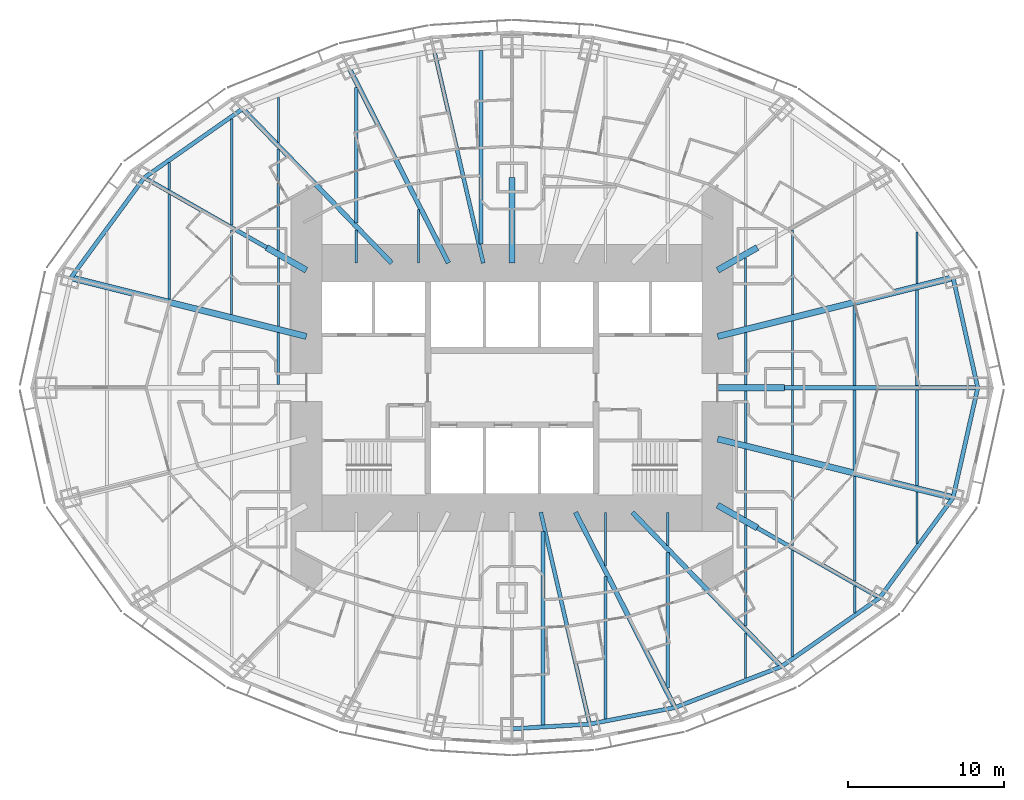
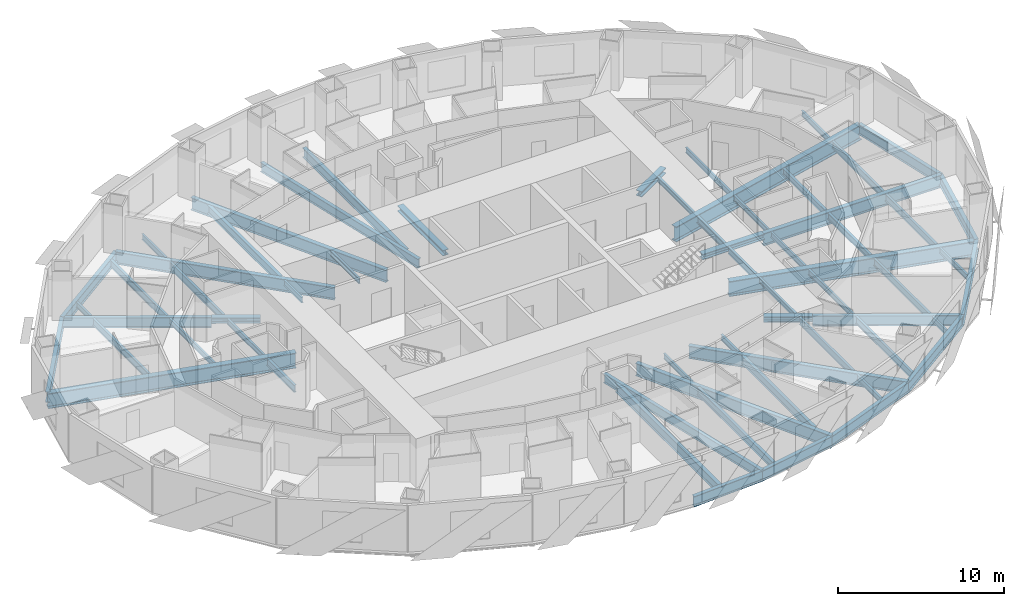
# One storey, part 2 of 17: 62 beams.
"""IFC4 building model written with IfcOpenShell, lengths in metres."""

from ifc_helpers import new_model, si_unit, direction, frame, origin, origin_2d, place, context, subcontext, project, spatial, i_section, extrude, material, material_profile, profile_set, type_object, element, save


model = new_model("IFC4")

# Units and contexts
model_context = context("Model", 3, precision=1e-05, world=origin(), true_north=direction((0.0, 1.0)))
body_context = subcontext(model_context, "Body", "Model", "MODEL_VIEW")
ifc_project = project(units=[si_unit("LENGTHUNIT", "METRE"), si_unit("AREAUNIT", "SQUARE_METRE"), si_unit("VOLUMEUNIT", "CUBIC_METRE"), si_unit("PLANEANGLEUNIT", "RADIAN"), si_unit("MASSUNIT", "GRAM", prefix="KILO")], contexts=[model_context])

# Site, building, storey
site_placement = place(None, origin())
site = spatial("IfcSite", under=ifc_project, at=site_placement, CompositionType="ELEMENT")
building_placement = place(site_placement, origin())
building = spatial("IfcBuilding", under=site, at=building_placement, Name="Lantaw Convention Tower", CompositionType="ELEMENT")
storey_placement = place(building_placement, frame((0.0, 0.0, 40.60009765625)))
storey = spatial("IfcBuildingStorey", under=building, at=storey_placement, Name="L07", CompositionType="ELEMENT", Elevation=40.60009765625)

# Beams
ifc_material = material(Name="Steel ASTM A992", Category="steel")
ifc_material_profile_1 = material_profile(ifc_material, i_section(OverallWidth=0.2666015625, OverallDepth=0.76953125, WebThickness=0.015625, FlangeThickness=0.025390625, FilletRadius=0.0126953125, at=origin_2d()), Name="W30X132")
ifc_profile_set_1 = profile_set([ifc_material_profile_1], Name="Steel ASTM A992")
beam_type_1 = type_object("IfcBeamType", Name="Beam E W30X132", PredefinedType="SPANDREL", material=ifc_profile_set_1)
beam_1_placement = place(storey_placement, frame((29.89990234375, 0.0, -0.534912109375), z_axis=(-0.218652184873, 0.975802860239, 0.0), x_axis=(-0.975802860239, -0.218652184873, 0.0)))
element("IfcBeam", 1, at=beam_1_placement, inside=storey, type_object=beam_type_1, Name="Edge beam 1", PredefinedType="SPANDREL", context=body_context, shape_type="SweptSolid", body=[
    extrude(i_section(OverallWidth=0.2666015625, OverallDepth=0.76953125, WebThickness=0.015625, FlangeThickness=0.025390625, FilletRadius=0.0126953125, at=origin_2d()), origin(), (0.0, 0.0, 1.0), 7.2353515625),
])
beam_2_placement = place(storey_placement, frame((-17.290771484375, 17.9052734375, -0.534912109375), z_axis=(-0.81942686407, -0.57318375277, 0.0), x_axis=(0.57318375277, -0.81942686407, 0.0)))
element("IfcBeam", 2, at=beam_2_placement, inside=storey, type_object=beam_type_1, Name="Edge beam 10", PredefinedType="SPANDREL", context=body_context, shape_type="SweptSolid", body=[
    extrude(i_section(OverallWidth=0.2666015625, OverallDepth=0.76953125, WebThickness=0.015625, FlangeThickness=0.025390625, FilletRadius=0.0126953125, at=origin_2d()), origin(), (0.0, 0.0, 1.0), 7.70556640625),
])
beam_3_placement = place(storey_placement, frame((-23.60498046875, 13.488525390625, -0.534912109375), z_axis=(-0.591270709086, -0.806473154281, 0.0), x_axis=(0.806473154281, -0.591270709086, 0.0)))
element("IfcBeam", 3, at=beam_3_placement, inside=storey, type_object=beam_type_1, Name="Edge beam 11", PredefinedType="SPANDREL", context=body_context, shape_type="SweptSolid", body=[
    extrude(i_section(OverallWidth=0.2666015625, OverallDepth=0.76953125, WebThickness=0.015625, FlangeThickness=0.025390625, FilletRadius=0.0126953125, at=origin_2d()), origin(), (0.0, 0.0, 1.0), 7.970703125),
])
beam_4_placement = place(storey_placement, frame((0.0, -21.89990234375, -0.534912109375), z_axis=(0.998173858406, 0.060406526096, 0.0), x_axis=(-0.060406526096, 0.998173858406, 0.0)))
element("IfcBeam", 4, at=beam_4_placement, inside=storey, type_object=beam_type_1, Name="Edge beam 19", PredefinedType="SPANDREL", context=body_context, shape_type="SweptSolid", body=[
    extrude(i_section(OverallWidth=0.2666015625, OverallDepth=0.76953125, WebThickness=0.015625, FlangeThickness=0.025390625, FilletRadius=0.0126953125, at=origin_2d()), origin(), (0.0, 0.0, 1.0), 4.995361328125),
])
beam_5_placement = place(storey_placement, frame((4.986328125, -21.59814453125, -0.534912109375), z_axis=(0.981636565323, 0.190760723474, 0.0), x_axis=(-0.190760723474, 0.981636565323, 0.0)))
element("IfcBeam", 5, at=beam_5_placement, inside=storey, type_object=beam_type_1, Name="Edge beam 20", PredefinedType="SPANDREL", context=body_context, shape_type="SweptSolid", body=[
    extrude(i_section(OverallWidth=0.2666015625, OverallDepth=0.76953125, WebThickness=0.015625, FlangeThickness=0.025390625, FilletRadius=0.0126953125, at=origin_2d()), origin(), (0.0, 0.0, 1.0), 5.578857421875),
])
beam_6_placement = place(storey_placement, frame((10.462646484375, -20.533935546875, -0.534912109375), z_axis=(0.933232900641, 0.359271976588, 0.0), x_axis=(-0.359271976588, 0.933232900641, 0.0)))
element("IfcBeam", 6, at=beam_6_placement, inside=storey, type_object=beam_type_1, Name="Edge beam 21", PredefinedType="SPANDREL", context=body_context, shape_type="SweptSolid", body=[
    extrude(i_section(OverallWidth=0.2666015625, OverallDepth=0.76953125, WebThickness=0.015625, FlangeThickness=0.025390625, FilletRadius=0.0126953125, at=origin_2d()), origin(), (0.0, 0.0, 1.0), 7.316650390625),
])
beam_7_placement = place(storey_placement, frame((17.290771484375, -17.9052734375, -0.534912109375), z_axis=(0.81942686407, 0.57318375277, 0.0), x_axis=(-0.57318375277, 0.81942686407, 0.0)))
element("IfcBeam", 7, at=beam_7_placement, inside=storey, type_object=beam_type_1, Name="Edge beam 22", PredefinedType="SPANDREL", context=body_context, shape_type="SweptSolid", body=[
    extrude(i_section(OverallWidth=0.2666015625, OverallDepth=0.76953125, WebThickness=0.015625, FlangeThickness=0.025390625, FilletRadius=0.0126953125, at=origin_2d()), origin(), (0.0, 0.0, 1.0), 7.70556640625),
])
beam_8_placement = place(storey_placement, frame((23.60498046875, -13.488525390625, -0.534912109375), z_axis=(0.591270709086, 0.806473154281, 0.0), x_axis=(-0.806473154281, 0.591270709086, 0.0)))
element("IfcBeam", 8, at=beam_8_placement, inside=storey, type_object=beam_type_1, Name="Edge beam 23", PredefinedType="SPANDREL", context=body_context, shape_type="SweptSolid", body=[
    extrude(i_section(OverallWidth=0.2666015625, OverallDepth=0.76953125, WebThickness=0.015625, FlangeThickness=0.025390625, FilletRadius=0.0126953125, at=origin_2d()), origin(), (0.0, 0.0, 1.0), 7.970703125),
])
beam_9_placement = place(storey_placement, frame((28.31787109375, -7.060302734375, -0.534912109375), z_axis=(0.218652184873, 0.975802860239, 0.0), x_axis=(-0.975802860239, 0.218652184873, 0.0)))
element("IfcBeam", 9, at=beam_9_placement, inside=storey, type_object=beam_type_1, Name="Edge beam 24", PredefinedType="SPANDREL", context=body_context, shape_type="SweptSolid", body=[
    extrude(i_section(OverallWidth=0.2666015625, OverallDepth=0.76953125, WebThickness=0.015625, FlangeThickness=0.025390625, FilletRadius=0.0126953125, at=origin_2d()), origin(), (0.0, 0.0, 1.0), 7.2353515625),
])
ifc_material_profile_2 = material_profile(ifc_material, i_section(OverallWidth=0.25390625, OverallDepth=0.683349609375, WebThickness=0.012451171875, FlangeThickness=0.01904296875, FilletRadius=0.01513671875, at=origin_2d()), Name="W27X94")
ifc_profile_set_2 = profile_set([ifc_material_profile_2], Name="Steel ASTM A992")
beam_type_2 = type_object("IfcBeamType", Name="Beam G W27X94", PredefinedType="BEAM", material=ifc_profile_set_2)
for number, where, z_axis, x_axis, name in (
    (10, (-1.846923828125, 8.0, -0.49169921875), (-0.224952773175, 0.97436966796, 0.0), (-0.97436966796, -0.224952773175, 0.0), "Floor girder on ray 8"),
    (11, (1.846923828125, -8.0, -0.49169921875), (0.224952773175, -0.97436966796, 0.0), (0.97436966796, 0.224952773175, 0.0), "Floor girder on ray 20"),
):
    element("IfcBeam", number, at=place(storey_placement, frame(where, z_axis=z_axis, x_axis=x_axis)), inside=storey, type_object=beam_type_2, Name=name, PredefinedType="BEAM", context=body_context, shape_type="SweptSolid", body=[
        extrude(i_section(OverallWidth=0.25390625, OverallDepth=0.683349609375, WebThickness=0.012451171875, FlangeThickness=0.01904296875, FilletRadius=0.01513671875, at=origin_2d()), origin(), (0.0, 0.0, 1.0), 13.955810546875),
    ])
ifc_material_profile_3 = material_profile(ifc_material, i_section(OverallWidth=0.2666015625, OverallDepth=0.7568359375, WebThickness=0.013916015625, FlangeThickness=0.019287109375, FilletRadius=0.0126953125, at=origin_2d()), Name="W30X108")
ifc_profile_set_3 = profile_set([ifc_material_profile_3], Name="Steel ASTM A992")
beam_type_3 = type_object("IfcBeamType", Name="Beam G W30X108", PredefinedType="BEAM", material=ifc_profile_set_3)
for number, where, z_axis, x_axis, name in (
    (12, (-15.75, 9.0, -0.528564453125), (-0.868244802791, 0.496136032179, 0.0), (-0.496136032179, -0.868244802791, 0.0), "Floor girder on ray 11"),
    (13, (15.75, -9.0, -0.528564453125), (0.868244802791, -0.496136032179, 0.0), (0.496136032179, 0.868244802791, 0.0), "Floor girder on ray 23"),
):
    element("IfcBeam", number, at=place(storey_placement, frame(where, z_axis=z_axis, x_axis=x_axis)), inside=storey, type_object=beam_type_3, Name=name, PredefinedType="BEAM", context=body_context, shape_type="SweptSolid", body=[
        extrude(i_section(OverallWidth=0.2666015625, OverallDepth=0.7568359375, WebThickness=0.013916015625, FlangeThickness=0.019287109375, FilletRadius=0.0126953125, at=origin_2d()), origin(), (0.0, 0.0, 1.0), 9.046875),
    ])
ifc_material_profile_4 = material_profile(ifc_material, i_section(OverallWidth=0.307373046875, OverallDepth=0.922119140625, WebThickness=0.018310546875, FlangeThickness=0.030029296875, FilletRadius=0.0126953125, at=origin_2d()), Name="W36X182")
ifc_profile_set_4 = profile_set([ifc_material_profile_4], Name="Steel ASTM A992")
beam_type_4 = type_object("IfcBeamType", Name="Beam G W36X182", PredefinedType="BEAM", material=ifc_profile_set_4)
beam_10_placement = place(storey_placement, frame((17.5, 0.0, -0.611083984375), z_axis=(1.0, 0.0, 0.0), x_axis=(0.0, 1.0, 0.0)))
element("IfcBeam", 14, at=beam_10_placement, inside=storey, type_object=beam_type_4, Name="Floor girder on ray 1", PredefinedType="BEAM", context=body_context, shape_type="SweptSolid", body=[
    extrude(i_section(OverallWidth=0.307373046875, OverallDepth=0.922119140625, WebThickness=0.018310546875, FlangeThickness=0.030029296875, FilletRadius=0.0126953125, at=origin_2d()), origin(), (0.0, 0.0, 1.0), 12.39990234375),
])
beam_11_placement = place(storey_placement, frame((-4.076171875, 8.0, -0.611083984375), z_axis=(-0.453997016122, 0.891003203896, 0.0), x_axis=(-0.891003203896, -0.453997016122, 0.0)))
element("IfcBeam", 15, at=beam_11_placement, inside=storey, type_object=beam_type_4, Name="Floor girder on ray 9", PredefinedType="BEAM", context=body_context, shape_type="SweptSolid", body=[
    extrude(i_section(OverallWidth=0.307373046875, OverallDepth=0.922119140625, WebThickness=0.018310546875, FlangeThickness=0.030029296875, FilletRadius=0.0126953125, at=origin_2d()), origin(), (0.0, 0.0, 1.0), 14.067138671875),
])
beam_12_placement = place(storey_placement, frame((-7.7255859375, 8.0, -0.611083984375), z_axis=(-0.694649884291, 0.719347995239, 0.0), x_axis=(-0.719347995239, -0.694649884291, 0.0)))
element("IfcBeam", 16, at=beam_12_placement, inside=storey, type_object=beam_type_4, Name="Floor girder on ray 10", PredefinedType="BEAM", context=body_context, shape_type="SweptSolid", body=[
    extrude(i_section(OverallWidth=0.307373046875, OverallDepth=0.922119140625, WebThickness=0.018310546875, FlangeThickness=0.030029296875, FilletRadius=0.0126953125, at=origin_2d()), origin(), (0.0, 0.0, 1.0), 13.769775390625),
])
beam_13_placement = place(storey_placement, frame((4.076171875, -8.0, -0.611083984375), z_axis=(0.453997016122, -0.891003203896, 0.0), x_axis=(0.891003203896, 0.453997016122, 0.0)))
element("IfcBeam", 17, at=beam_13_placement, inside=storey, type_object=beam_type_4, Name="Floor girder on ray 21", PredefinedType="BEAM", context=body_context, shape_type="SweptSolid", body=[
    extrude(i_section(OverallWidth=0.307373046875, OverallDepth=0.922119140625, WebThickness=0.018310546875, FlangeThickness=0.030029296875, FilletRadius=0.0126953125, at=origin_2d()), origin(), (0.0, 0.0, 1.0), 14.067138671875),
])
beam_14_placement = place(storey_placement, frame((7.7255859375, -8.0, -0.611083984375), z_axis=(0.694649884291, -0.719347995239, 0.0), x_axis=(0.719347995239, 0.694649884291, 0.0)))
element("IfcBeam", 18, at=beam_14_placement, inside=storey, type_object=beam_type_4, Name="Floor girder on ray 22", PredefinedType="BEAM", context=body_context, shape_type="SweptSolid", body=[
    extrude(i_section(OverallWidth=0.307373046875, OverallDepth=0.922119140625, WebThickness=0.018310546875, FlangeThickness=0.030029296875, FilletRadius=0.0126953125, at=origin_2d()), origin(), (0.0, 0.0, 1.0), 13.769775390625),
])
ifc_material_profile_5 = material_profile(ifc_material, i_section(OverallWidth=0.40380859375, OverallDepth=1.11767578125, WebThickness=0.026123046875, FlangeThickness=0.044921875, FilletRadius=0.02001953125, at=origin_2d()), Name="W44X335")
ifc_profile_set_5 = profile_set([ifc_material_profile_5], Name="Steel ASTM A992")
beam_type_5 = type_object("IfcBeamType", Name="Beam G W44X335", PredefinedType="BEAM", material=ifc_profile_set_5)
for number, where, z_axis, x_axis, name in (
    (19, (13.199951171875, 3.291015625, -0.708984375), (0.970296233567, 0.241919860957, 0.0), (-0.241919860957, 0.970296233567, 0.0), "Floor girder on ray 2"),
    (20, (-13.199951171875, 3.291015625, -0.708984375), (-0.970296233567, 0.241919860957, 0.0), (-0.241919860957, -0.970296233567, 0.0), "Floor girder on ray 12"),
    (21, (13.199951171875, -3.291015625, -0.708984375), (0.970296233567, -0.241919860957, 0.0), (0.241919860957, 0.970296233567, 0.0), "Floor girder on ray 24"),
):
    element("IfcBeam", number, at=place(storey_placement, frame(where, z_axis=z_axis, x_axis=x_axis)), inside=storey, type_object=beam_type_5, Name=name, PredefinedType="BEAM", context=body_context, shape_type="SweptSolid", body=[
        extrude(i_section(OverallWidth=0.40380859375, OverallDepth=1.11767578125, WebThickness=0.026123046875, FlangeThickness=0.044921875, FilletRadius=0.02001953125, at=origin_2d()), origin(), (0.0, 0.0, 1.0), 15.580810546875),
    ])
ifc_material_profile_6 = material_profile(ifc_material, i_section(OverallWidth=0.40380859375, OverallDepth=0.406494140625, WebThickness=0.027099609375, FlangeThickness=0.043701171875, FilletRadius=0.01513671875, at=origin_2d()), Name="W14X233")
ifc_profile_set_6 = profile_set([ifc_material_profile_6], Name="Steel ASTM A992")
beam_type_6 = type_object("IfcBeamType", Name="Beam GM W14X233", PredefinedType="BEAM", material=ifc_profile_set_6)
beam_15_placement = place(storey_placement, frame((13.199951171875, 0.0, -0.353271484375), z_axis=(1.0, 0.0, 0.0), x_axis=(0.0, 1.0, 0.0)))
element("IfcBeam", 22, at=beam_15_placement, inside=storey, type_object=beam_type_6, Name="Core link beam on ray 1", PredefinedType="BEAM", context=body_context, shape_type="SweptSolid", body=[
    extrude(i_section(OverallWidth=0.40380859375, OverallDepth=0.406494140625, WebThickness=0.027099609375, FlangeThickness=0.043701171875, FilletRadius=0.01513671875, at=origin_2d()), origin(), (0.0, 0.0, 1.0), 4.300048828125),
])
beam_16_placement = place(storey_placement, frame((13.199951171875, 7.54296875, -0.353271484375), z_axis=(0.868263603466, 0.496103129295, 0.0), x_axis=(-0.496103129295, 0.868263603466, 0.0)))
element("IfcBeam", 23, at=beam_16_placement, inside=storey, type_object=beam_type_6, Name="Core link beam on ray 3", PredefinedType="BEAM", context=body_context, shape_type="SweptSolid", body=[
    extrude(i_section(OverallWidth=0.40380859375, OverallDepth=0.406494140625, WebThickness=0.027099609375, FlangeThickness=0.043701171875, FilletRadius=0.01513671875, at=origin_2d()), origin(), (0.0, 0.0, 1.0), 2.93701171875),
])
beam_17_placement = place(storey_placement, frame((0.0, 8.0, -0.353271484375), z_axis=(0.0, 1.0, 0.0), x_axis=(-1.0, 0.0, 0.0)))
element("IfcBeam", 24, at=beam_17_placement, inside=storey, type_object=beam_type_6, Name="Core link beam on ray 7", PredefinedType="BEAM", context=body_context, shape_type="SweptSolid", body=[
    extrude(i_section(OverallWidth=0.40380859375, OverallDepth=0.406494140625, WebThickness=0.027099609375, FlangeThickness=0.043701171875, FilletRadius=0.01513671875, at=origin_2d()), origin(), (0.0, 0.0, 1.0), 5.5),
])
for number, where, z_axis, x_axis, name in (
    (25, (-13.199951171875, 7.54296875, -0.353271484375), (-0.868263603466, 0.496103129295, 0.0), (-0.496103129295, -0.868263603466, 0.0), "Core link beam on ray 11"),
    (26, (13.199951171875, -7.54296875, -0.353271484375), (0.868263603466, -0.496103129295, 0.0), (0.496103129295, 0.868263603466, 0.0), "Core link beam on ray 23"),
):
    element("IfcBeam", number, at=place(storey_placement, frame(where, z_axis=z_axis, x_axis=x_axis)), inside=storey, type_object=beam_type_6, Name=name, PredefinedType="BEAM", context=body_context, shape_type="SweptSolid", body=[
        extrude(i_section(OverallWidth=0.40380859375, OverallDepth=0.406494140625, WebThickness=0.027099609375, FlangeThickness=0.043701171875, FilletRadius=0.01513671875, at=origin_2d()), origin(), (0.0, 0.0, 1.0), 2.93701171875),
    ])
ifc_material_profile_7 = material_profile(ifc_material, i_section(OverallWidth=0.140380859375, OverallDepth=0.40380859375, WebThickness=0.007080078125, FlangeThickness=0.01123046875, FilletRadius=0.01025390625, at=origin_2d()), Name="W16X31")
ifc_profile_set_7 = profile_set([ifc_material_profile_7], Name="Steel ASTM A992")
beam_type_7 = type_object("IfcBeamType", Name="Beam J W16X31", PredefinedType="JOIST", material=ifc_profile_set_7)
beam_18_placement = place(storey_placement, frame((-22.0, 12.72509765625, -0.35205078125), z_axis=(0.0, 1.0, 0.0), x_axis=(-1.0, 0.0, 0.0)))
element("IfcBeam", 27, at=beam_18_placement, inside=storey, type_object=beam_type_7, Name="Floor joist", PredefinedType="JOIST", context=body_context, shape_type="SweptSolid", body=[
    extrude(i_section(OverallWidth=0.140380859375, OverallDepth=0.40380859375, WebThickness=0.007080078125, FlangeThickness=0.01123046875, FilletRadius=0.01025390625, at=origin_2d()), origin(), (0.0, 0.0, 1.0), 1.723388671875),
])
beam_19_placement = place(storey_placement, frame((-18.0, 4.696044921875, -0.35205078125), z_axis=(0.0, 1.0, 0.0), x_axis=(-1.0, 0.0, 0.0)))
element("IfcBeam", 28, at=beam_19_placement, inside=storey, type_object=beam_type_7, Name="Floor joist", PredefinedType="JOIST", context=body_context, shape_type="SweptSolid", body=[
    extrude(i_section(OverallWidth=0.140380859375, OverallDepth=0.40380859375, WebThickness=0.007080078125, FlangeThickness=0.01123046875, FilletRadius=0.01025390625, at=origin_2d()), origin(), (0.0, 0.0, 1.0), 5.43603515625),
])
beam_20_placement = place(storey_placement, frame((-15.0, 3.947998046875, -0.35205078125), z_axis=(0.0, 1.0, 0.0), x_axis=(-1.0, 0.0, 0.0)))
element("IfcBeam", 29, at=beam_20_placement, inside=storey, type_object=beam_type_7, Name="Floor joist", PredefinedType="JOIST", context=body_context, shape_type="SweptSolid", body=[
    extrude(i_section(OverallWidth=0.140380859375, OverallDepth=0.40380859375, WebThickness=0.007080078125, FlangeThickness=0.01123046875, FilletRadius=0.01025390625, at=origin_2d()), origin(), (0.0, 0.0, 1.0), 4.390869140625),
])
beam_21_placement = place(storey_placement, frame((-15.0, 15.754150390625, -0.35205078125), z_axis=(0.0, 1.0, 0.0), x_axis=(-1.0, 0.0, 0.0)))
element("IfcBeam", 30, at=beam_21_placement, inside=storey, type_object=beam_type_7, Name="Floor joist", PredefinedType="JOIST", context=body_context, shape_type="SweptSolid", body=[
    extrude(i_section(OverallWidth=0.140380859375, OverallDepth=0.40380859375, WebThickness=0.007080078125, FlangeThickness=0.01123046875, FilletRadius=0.01025390625, at=origin_2d()), origin(), (0.0, 0.0, 1.0), 2.89013671875),
])
beam_22_placement = place(storey_placement, frame((-10.0, 8.0, -0.35205078125), z_axis=(0.0, 1.0, 0.0), x_axis=(-1.0, 0.0, 0.0)))
element("IfcBeam", 31, at=beam_22_placement, inside=storey, type_object=beam_type_7, Name="Floor joist", PredefinedType="JOIST", context=body_context, shape_type="SweptSolid", body=[
    extrude(i_section(OverallWidth=0.140380859375, OverallDepth=0.40380859375, WebThickness=0.007080078125, FlangeThickness=0.01123046875, FilletRadius=0.01025390625, at=origin_2d()), origin(), (0.0, 0.0, 1.0), 2.134033203125),
])
for number, where, z_axis, x_axis, name in (
    (32, (-6.0, 8.0, -0.35205078125), (0.0, 1.0, 0.0), (-1.0, 0.0, 0.0), "Floor joist"),
    (33, (6.0, -11.437255859375, -0.35205078125), (0.0, 1.0, 0.0), (-1.0, 0.0, 0.0), "Floor joist"),
):
    element("IfcBeam", number, at=place(storey_placement, frame(where, z_axis=z_axis, x_axis=x_axis)), inside=storey, type_object=beam_type_7, Name=name, PredefinedType="JOIST", context=body_context, shape_type="SweptSolid", body=[
        extrude(i_section(OverallWidth=0.140380859375, OverallDepth=0.40380859375, WebThickness=0.007080078125, FlangeThickness=0.01123046875, FilletRadius=0.01025390625, at=origin_2d()), origin(), (0.0, 0.0, 1.0), 3.437255859375),
    ])
beam_23_placement = place(storey_placement, frame((10.0, -10.134033203125, -0.35205078125), z_axis=(0.0, 1.0, 0.0), x_axis=(-1.0, 0.0, 0.0)))
element("IfcBeam", 34, at=beam_23_placement, inside=storey, type_object=beam_type_7, Name="Floor joist", PredefinedType="JOIST", context=body_context, shape_type="SweptSolid", body=[
    extrude(i_section(OverallWidth=0.140380859375, OverallDepth=0.40380859375, WebThickness=0.007080078125, FlangeThickness=0.01123046875, FilletRadius=0.01025390625, at=origin_2d()), origin(), (0.0, 0.0, 1.0), 2.134033203125),
])
beam_24_placement = place(storey_placement, frame((15.0, -18.644287109375, -0.35205078125), z_axis=(0.0, 1.0, 0.0), x_axis=(-1.0, 0.0, 0.0)))
element("IfcBeam", 35, at=beam_24_placement, inside=storey, type_object=beam_type_7, Name="Floor joist", PredefinedType="JOIST", context=body_context, shape_type="SweptSolid", body=[
    extrude(i_section(OverallWidth=0.140380859375, OverallDepth=0.40380859375, WebThickness=0.007080078125, FlangeThickness=0.01123046875, FilletRadius=0.01025390625, at=origin_2d()), origin(), (0.0, 0.0, 1.0), 2.89013671875),
])
for number, where, z_axis, x_axis, name in (
    (36, (15.0, -8.3388671875, -0.35205078125), (0.0, 1.0, 0.0), (-1.0, 0.0, 0.0), "Floor joist"),
    (37, (15.0, 3.947998046875, -0.35205078125), (0.0, 1.0, 0.0), (-1.0, 0.0, 0.0), "Floor joist"),
):
    element("IfcBeam", number, at=place(storey_placement, frame(where, z_axis=z_axis, x_axis=x_axis)), inside=storey, type_object=beam_type_7, Name=name, PredefinedType="JOIST", context=body_context, shape_type="SweptSolid", body=[
        extrude(i_section(OverallWidth=0.140380859375, OverallDepth=0.40380859375, WebThickness=0.007080078125, FlangeThickness=0.01123046875, FilletRadius=0.01025390625, at=origin_2d()), origin(), (0.0, 0.0, 1.0), 4.390869140625),
    ])
beam_25_placement = place(storey_placement, frame((18.0, -10.132080078125, -0.35205078125), z_axis=(0.0, 1.0, 0.0), x_axis=(-1.0, 0.0, 0.0)))
element("IfcBeam", 38, at=beam_25_placement, inside=storey, type_object=beam_type_7, Name="Floor joist", PredefinedType="JOIST", context=body_context, shape_type="SweptSolid", body=[
    extrude(i_section(OverallWidth=0.140380859375, OverallDepth=0.40380859375, WebThickness=0.007080078125, FlangeThickness=0.01123046875, FilletRadius=0.01025390625, at=origin_2d()), origin(), (0.0, 0.0, 1.0), 5.43603515625),
])
for number, where, z_axis, x_axis, name in (
    (39, (18.0, -4.27978515625, -0.35205078125), (0.0, 1.0, 0.0), (-1.0, 0.0, 0.0), "Floor joist"),
    (40, (18.0, 0.153564453125, -0.35205078125), (0.0, 1.0, 0.0), (-1.0, 0.0, 0.0), "Floor joist"),
):
    element("IfcBeam", number, at=place(storey_placement, frame(where, z_axis=z_axis, x_axis=x_axis)), inside=storey, type_object=beam_type_7, Name=name, PredefinedType="JOIST", context=body_context, shape_type="SweptSolid", body=[
        extrude(i_section(OverallWidth=0.140380859375, OverallDepth=0.40380859375, WebThickness=0.007080078125, FlangeThickness=0.01123046875, FilletRadius=0.01025390625, at=origin_2d()), origin(), (0.0, 0.0, 1.0), 4.126220703125),
    ])
beam_26_placement = place(storey_placement, frame((18.0, 4.696044921875, -0.35205078125), z_axis=(0.0, 1.0, 0.0), x_axis=(-1.0, 0.0, 0.0)))
element("IfcBeam", 41, at=beam_26_placement, inside=storey, type_object=beam_type_7, Name="Floor joist", PredefinedType="JOIST", context=body_context, shape_type="SweptSolid", body=[
    extrude(i_section(OverallWidth=0.140380859375, OverallDepth=0.40380859375, WebThickness=0.007080078125, FlangeThickness=0.01123046875, FilletRadius=0.01025390625, at=origin_2d()), origin(), (0.0, 0.0, 1.0), 5.43603515625),
])
beam_27_placement = place(storey_placement, frame((22.0, -14.448486328125, -0.35205078125), z_axis=(0.0, 1.0, 0.0), x_axis=(-1.0, 0.0, 0.0)))
element("IfcBeam", 42, at=beam_27_placement, inside=storey, type_object=beam_type_7, Name="Floor joist", PredefinedType="JOIST", context=body_context, shape_type="SweptSolid", body=[
    extrude(i_section(OverallWidth=0.140380859375, OverallDepth=0.40380859375, WebThickness=0.007080078125, FlangeThickness=0.01123046875, FilletRadius=0.01025390625, at=origin_2d()), origin(), (0.0, 0.0, 1.0), 1.723388671875),
])
for number, where, z_axis, x_axis, name in (
    (43, (26.0, -9.996337890625, -0.35205078125), (0.0, 1.0, 0.0), (-1.0, 0.0, 0.0), "Floor joist"),
    (44, (26.0, 6.690673828125, -0.35205078125), (0.0, 1.0, 0.0), (-1.0, 0.0, 0.0), "Floor joist"),
):
    element("IfcBeam", number, at=place(storey_placement, frame(where, z_axis=z_axis, x_axis=x_axis)), inside=storey, type_object=beam_type_7, Name=name, PredefinedType="JOIST", context=body_context, shape_type="SweptSolid", body=[
        extrude(i_section(OverallWidth=0.140380859375, OverallDepth=0.40380859375, WebThickness=0.007080078125, FlangeThickness=0.01123046875, FilletRadius=0.01025390625, at=origin_2d()), origin(), (0.0, 0.0, 1.0), 3.3056640625),
    ])
ifc_material_profile_8 = material_profile(ifc_material, i_section(OverallWidth=0.1904296875, OverallDepth=0.457275390625, WebThickness=0.009033203125, FlangeThickness=0.014404296875, FilletRadius=0.01025390625, at=origin_2d()), Name="W18X50")
ifc_profile_set_8 = profile_set([ifc_material_profile_8], Name="Steel ASTM A992")
beam_type_8 = type_object("IfcBeamType", Name="Beam J W18X50", PredefinedType="JOIST", material=ifc_profile_set_8)
for number, where, z_axis, x_axis, name in (
    (45, (22.0, -5.277099609375, -0.378662109375), (0.0, 1.0, 0.0), (-1.0, 0.0, 0.0), "Floor joist"),
    (46, (22.0, 0.153564453125, -0.378662109375), (0.0, 1.0, 0.0), (-1.0, 0.0, 0.0), "Floor joist"),
):
    element("IfcBeam", number, at=place(storey_placement, frame(where, z_axis=z_axis, x_axis=x_axis)), inside=storey, type_object=beam_type_8, Name=name, PredefinedType="JOIST", context=body_context, shape_type="SweptSolid", body=[
        extrude(i_section(OverallWidth=0.1904296875, OverallDepth=0.457275390625, WebThickness=0.009033203125, FlangeThickness=0.014404296875, FilletRadius=0.01025390625, at=origin_2d()), origin(), (0.0, 0.0, 1.0), 5.12353515625),
    ])
ifc_material_profile_9 = material_profile(ifc_material, i_section(OverallWidth=0.1650390625, OverallDepth=0.52587890625, WebThickness=0.0087890625, FlangeThickness=0.011474609375, FilletRadius=0.0126953125, at=origin_2d()), Name="W21X44")
ifc_profile_set_9 = profile_set([ifc_material_profile_9], Name="Steel ASTM A992")
beam_type_9 = type_object("IfcBeamType", Name="Beam J W21X44", PredefinedType="JOIST", material=ifc_profile_set_9)
beam_28_placement = place(storey_placement, frame((-22.0, 5.693359375, -0.4130859375), z_axis=(0.0, 1.0, 0.0), x_axis=(-1.0, 0.0, 0.0)))
element("IfcBeam", 47, at=beam_28_placement, inside=storey, type_object=beam_type_9, Name="Floor joist", PredefinedType="JOIST", context=body_context, shape_type="SweptSolid", body=[
    extrude(i_section(OverallWidth=0.1650390625, OverallDepth=0.52587890625, WebThickness=0.0087890625, FlangeThickness=0.011474609375, FilletRadius=0.0126953125, at=origin_2d()), origin(), (0.0, 0.0, 1.0), 6.724609375),
])
beam_29_placement = place(storey_placement, frame((-18.0, 10.439208984375, -0.4130859375), z_axis=(0.0, 1.0, 0.0), x_axis=(-1.0, 0.0, 0.0)))
element("IfcBeam", 48, at=beam_29_placement, inside=storey, type_object=beam_type_9, Name="Floor joist", PredefinedType="JOIST", context=body_context, shape_type="SweptSolid", body=[
    extrude(i_section(OverallWidth=0.1650390625, OverallDepth=0.52587890625, WebThickness=0.0087890625, FlangeThickness=0.011474609375, FilletRadius=0.0126953125, at=origin_2d()), origin(), (0.0, 0.0, 1.0), 6.80712890625),
])
for number, where, z_axis, x_axis, name in (
    (49, (-15.0, 8.803955078125, -0.4130859375), (0.0, 1.0, 0.0), (-1.0, 0.0, 0.0), "Floor joist"),
    (50, (15.0, -15.311767578125, -0.4130859375), (0.0, 1.0, 0.0), (-1.0, 0.0, 0.0), "Floor joist"),
):
    element("IfcBeam", number, at=place(storey_placement, frame(where, z_axis=z_axis, x_axis=x_axis)), inside=storey, type_object=beam_type_9, Name=name, PredefinedType="JOIST", context=body_context, shape_type="SweptSolid", body=[
        extrude(i_section(OverallWidth=0.1650390625, OverallDepth=0.52587890625, WebThickness=0.0087890625, FlangeThickness=0.011474609375, FilletRadius=0.0126953125, at=origin_2d()), origin(), (0.0, 0.0, 1.0), 6.5078125),
    ])
beam_30_placement = place(storey_placement, frame((18.0, -17.246337890625, -0.4130859375), z_axis=(0.0, 1.0, 0.0), x_axis=(-1.0, 0.0, 0.0)))
element("IfcBeam", 51, at=beam_30_placement, inside=storey, type_object=beam_type_9, Name="Floor joist", PredefinedType="JOIST", context=body_context, shape_type="SweptSolid", body=[
    extrude(i_section(OverallWidth=0.1650390625, OverallDepth=0.52587890625, WebThickness=0.0087890625, FlangeThickness=0.011474609375, FilletRadius=0.0126953125, at=origin_2d()), origin(), (0.0, 0.0, 1.0), 6.80712890625),
])
beam_31_placement = place(storey_placement, frame((22.0, -12.41796875, -0.4130859375), z_axis=(0.0, 1.0, 0.0), x_axis=(-1.0, 0.0, 0.0)))
element("IfcBeam", 52, at=beam_31_placement, inside=storey, type_object=beam_type_9, Name="Floor joist", PredefinedType="JOIST", context=body_context, shape_type="SweptSolid", body=[
    extrude(i_section(OverallWidth=0.1650390625, OverallDepth=0.52587890625, WebThickness=0.0087890625, FlangeThickness=0.011474609375, FilletRadius=0.0126953125, at=origin_2d()), origin(), (0.0, 0.0, 1.0), 6.724609375),
])
ifc_material_profile_10 = material_profile(ifc_material, i_section(OverallWidth=0.165771484375, OverallDepth=0.5283203125, WebThickness=0.009765625, FlangeThickness=0.013671875, FilletRadius=0.012939453125, at=origin_2d()), Name="W21X50")
ifc_profile_set_10 = profile_set([ifc_material_profile_10], Name="Steel ASTM A992")
beam_type_10 = type_object("IfcBeamType", Name="Beam J W21X50", PredefinedType="JOIST", material=ifc_profile_set_10)
for number, where, z_axis, x_axis, name in (
    (53, (-15.0, 0.201904296875, -0.414306640625), (0.0, 1.0, 0.0), (-1.0, 0.0, 0.0), "Floor joist"),
    (54, (15.0, -3.53173828125, -0.414306640625), (0.0, 1.0, 0.0), (-1.0, 0.0, 0.0), "Floor joist"),
    (55, (15.0, 0.201904296875, -0.414306640625), (0.0, 1.0, 0.0), (-1.0, 0.0, 0.0), "Floor joist"),
):
    element("IfcBeam", number, at=place(storey_placement, frame(where, z_axis=z_axis, x_axis=x_axis)), inside=storey, type_object=beam_type_10, Name=name, PredefinedType="JOIST", context=body_context, shape_type="SweptSolid", body=[
        extrude(i_section(OverallWidth=0.165771484375, OverallDepth=0.5283203125, WebThickness=0.009765625, FlangeThickness=0.013671875, FilletRadius=0.012939453125, at=origin_2d()), origin(), (0.0, 0.0, 1.0), 3.329833984375),
    ])
for number, where, z_axis, x_axis, name in (
    (56, (26.0, -6.2744140625, -0.414306640625), (0.0, 1.0, 0.0), (-1.0, 0.0, 0.0), "Floor joist"),
    (57, (26.0, 0.153564453125, -0.414306640625), (0.0, 1.0, 0.0), (-1.0, 0.0, 0.0), "Floor joist"),
):
    element("IfcBeam", number, at=place(storey_placement, frame(where, z_axis=z_axis, x_axis=x_axis)), inside=storey, type_object=beam_type_10, Name=name, PredefinedType="JOIST", context=body_context, shape_type="SweptSolid", body=[
        extrude(i_section(OverallWidth=0.165771484375, OverallDepth=0.5283203125, WebThickness=0.009765625, FlangeThickness=0.013671875, FilletRadius=0.012939453125, at=origin_2d()), origin(), (0.0, 0.0, 1.0), 6.120849609375),
    ])
ifc_material_profile_11 = material_profile(ifc_material, i_section(OverallWidth=0.2099609375, OverallDepth=0.535888671875, WebThickness=0.010986328125, FlangeThickness=0.017333984375, FilletRadius=0.012939453125, at=origin_2d()), Name="W21X68")
ifc_profile_set_11 = profile_set([ifc_material_profile_11], Name="Steel ASTM A992")
beam_type_11 = type_object("IfcBeamType", Name="Beam J W21X68", PredefinedType="JOIST", material=ifc_profile_set_11)
beam_32_placement = place(storey_placement, frame((6.0, -21.26513671875, -0.41796875), z_axis=(0.0, 1.0, 0.0), x_axis=(-1.0, 0.0, 0.0)))
element("IfcBeam", 58, at=beam_32_placement, inside=storey, type_object=beam_type_11, Name="Floor joist", PredefinedType="JOIST", context=body_context, shape_type="SweptSolid", body=[
    extrude(i_section(OverallWidth=0.2099609375, OverallDepth=0.535888671875, WebThickness=0.010986328125, FlangeThickness=0.017333984375, FilletRadius=0.012939453125, at=origin_2d()), origin(), (0.0, 0.0, 1.0), 9.15087890625),
])
ifc_material_profile_12 = material_profile(ifc_material, i_section(OverallWidth=0.227783203125, OverallDepth=0.60205078125, WebThickness=0.010498046875, FlangeThickness=0.014892578125, FilletRadius=0.012939453125, at=origin_2d()), Name="W24X68")
ifc_profile_set_12 = profile_set([ifc_material_profile_12], Name="Steel ASTM A992")
beam_type_12 = type_object("IfcBeamType", Name="Beam J W24X68", PredefinedType="JOIST", material=ifc_profile_set_12)
for number, where, z_axis, x_axis, name in (
    (59, (-10.0, 10.576416015625, -0.451171875), (0.0, 1.0, 0.0), (-1.0, 0.0, 0.0), "Floor joist"),
    (60, (10.0, -19.28759765625, -0.451171875), (0.0, 1.0, 0.0), (-1.0, 0.0, 0.0), "Floor joist"),
):
    element("IfcBeam", number, at=place(storey_placement, frame(where, z_axis=z_axis, x_axis=x_axis)), inside=storey, type_object=beam_type_12, Name=name, PredefinedType="JOIST", context=body_context, shape_type="SweptSolid", body=[
        extrude(i_section(OverallWidth=0.227783203125, OverallDepth=0.60205078125, WebThickness=0.010498046875, FlangeThickness=0.014892578125, FilletRadius=0.012939453125, at=origin_2d()), origin(), (0.0, 0.0, 1.0), 8.711181640625),
    ])
ifc_material_profile_13 = material_profile(ifc_material, i_section(OverallWidth=0.25390625, OverallDepth=0.700927734375, WebThickness=0.015380859375, FlangeThickness=0.02783203125, FilletRadius=0.01513671875, at=origin_2d()), Name="W27X129")
ifc_profile_set_13 = profile_set([ifc_material_profile_13], Name="Steel ASTM A992")
beam_type_13 = type_object("IfcBeamType", Name="Beam J W27X129", PredefinedType="JOIST", material=ifc_profile_set_13)
for number, where, z_axis, x_axis, name in (
    (61, (-2.0, 9.2275390625, -0.500732421875), (0.0, 1.0, 0.0), (-1.0, 0.0, 0.0), "Floor joist"),
    (62, (2.0, -21.645263671875, -0.500732421875), (0.0, 1.0, 0.0), (-1.0, 0.0, 0.0), "Floor joist"),
):
    element("IfcBeam", number, at=place(storey_placement, frame(where, z_axis=z_axis, x_axis=x_axis)), inside=storey, type_object=beam_type_13, Name=name, PredefinedType="JOIST", context=body_context, shape_type="SweptSolid", body=[
        extrude(i_section(OverallWidth=0.25390625, OverallDepth=0.700927734375, WebThickness=0.015380859375, FlangeThickness=0.02783203125, FilletRadius=0.01513671875, at=origin_2d()), origin(), (0.0, 0.0, 1.0), 12.417724609375),
    ])

save(model, "model.ifc")
